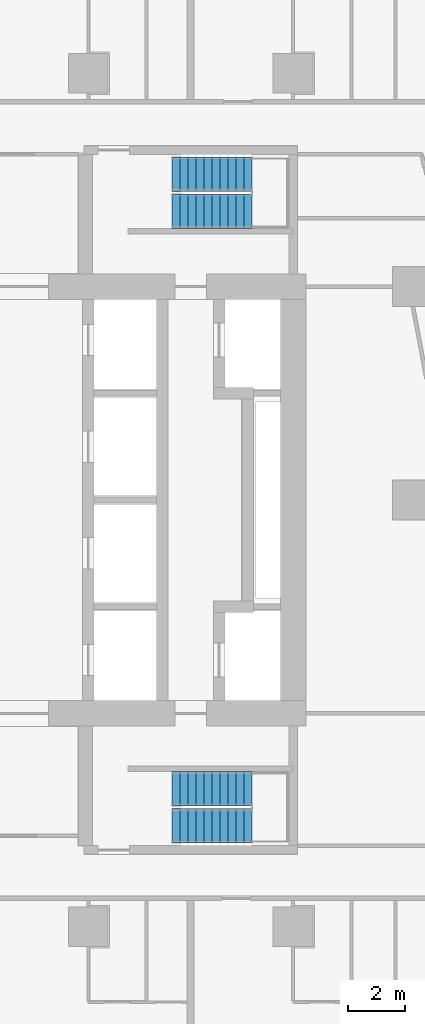
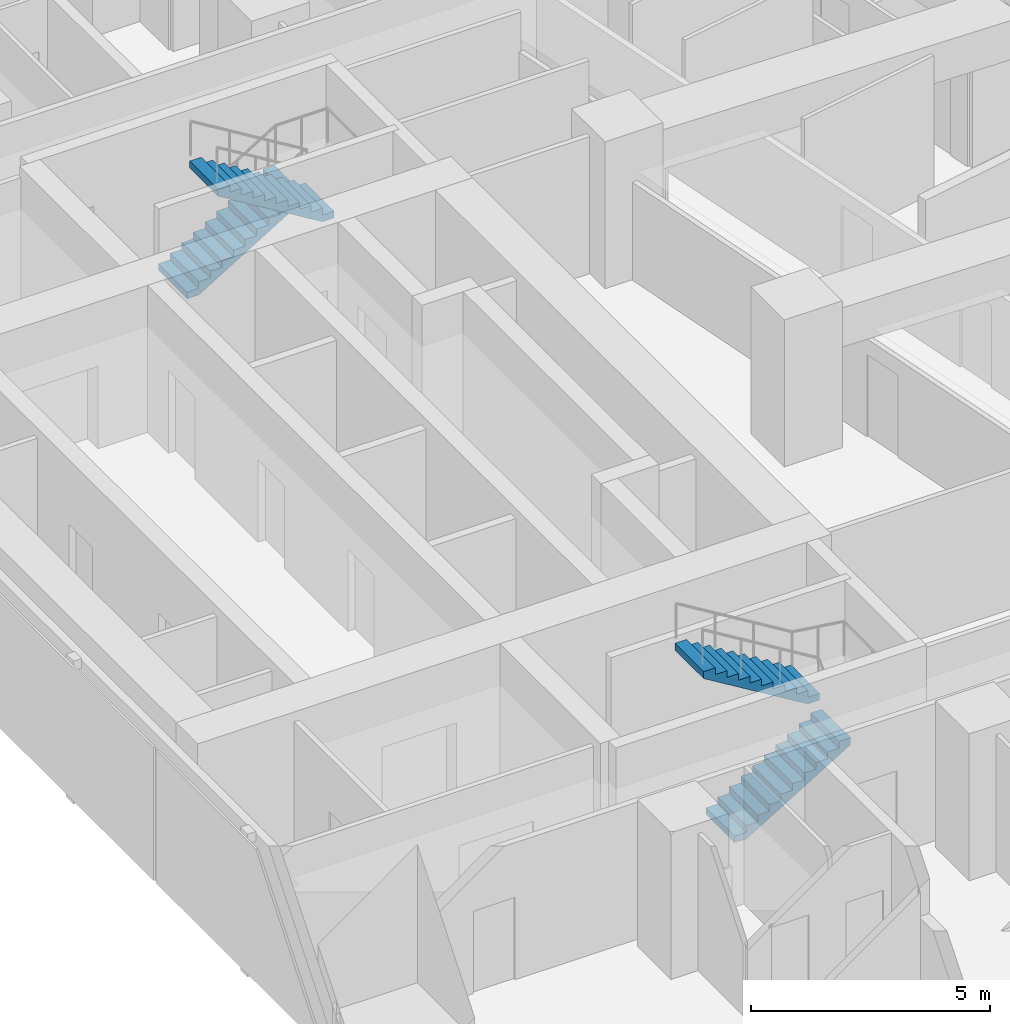
# One storey, part 9 of 10: 4 stair flights, 2 elements without a shape of their own.
"""IFC4 building model written with IfcOpenShell, lengths in metres."""

import ifcopenshell
import ifcopenshell.guid

model = None  # the IFC model being written
_history = None  # IfcOwnerHistory: only IFC2X3 demands one
_inside = {}  # id of a spatial element -> (the spatial element, [elements in it])
_under = {}  # id of a project, library or spatial element -> (it, [spatial elements below it])
_declared = {}  # id of a project -> (the project, [libraries it declares])
_typed = {}  # id of a type object -> (the type object, [elements of that type])
_made_of = {}  # id of a material, layer set ... -> (it, [elements and type objects made of it])


def new_model(schema):
    """Start an empty IFC model of exactly this schema.

    Asked for "IFC4X3", IfcOpenShell would pick the latest addendum, in which some entities
    have other attributes; the version numbers below select the first issue.
    IFC2X3 requires an IfcOwnerHistory on every rooted entity: one is made here for all.
    """
    global model, _history
    if schema == "IFC4X3":
        model = ifcopenshell.file(schema_version=(4, 3, 0, 0))
    else:
        model = ifcopenshell.file(schema=schema)
    _inside.clear()
    _under.clear()
    _declared.clear()
    _typed.clear()
    _made_of.clear()
    _history = None
    if model.schema == "IFC2X3":
        org = make("IfcOrganization", Name="unknown")
        user = make(
            "IfcPersonAndOrganization",
            ThePerson=make("IfcPerson", FamilyName="unknown"),
            TheOrganization=org,
        )
        app = make(
            "IfcApplication",
            ApplicationDeveloper=org,
            Version="unknown",
            ApplicationFullName="unknown",
            ApplicationIdentifier="unknown",
        )
        _history = make(
            "IfcOwnerHistory",
            OwningUser=user,
            OwningApplication=app,
            ChangeAction="ADDED",
            CreationDate=0,
        )
    return model


def make(cls, **values):
    """One entity of the class cls with the attributes given. An attribute that is None is left unset."""
    return model.create_entity(
        cls, **{name: value for name, value in values.items() if value is not None}
    )


def rooted(cls, **values):
    """An entity with a GlobalId (a new one), such as an element, a storey or a relation."""
    return make(cls, GlobalId=ifcopenshell.guid.new(), OwnerHistory=_history, **values)


def si_unit(unit_type, name, prefix=None):
    """IfcSIUnit, for example si_unit("LENGTHUNIT", "METRE", prefix="MILLI")."""
    return make("IfcSIUnit", UnitType=unit_type, Prefix=prefix, Name=name)


def assignment(units):
    """IfcUnitAssignment: the units of a project."""
    return None if units is None else make("IfcUnitAssignment", Units=units)


def point(xyz):
    """IfcCartesianPoint."""
    return None if xyz is None else make("IfcCartesianPoint", Coordinates=xyz)


def direction(xyz):
    """IfcDirection."""
    return None if xyz is None else make("IfcDirection", DirectionRatios=xyz)


def frame(location, z_axis=None, x_axis=None):
    """IfcAxis2Placement3D, a coordinate frame: its origin and axes. An axis left out is left unset."""
    return make(
        "IfcAxis2Placement3D",
        Location=point(location),
        Axis=direction(z_axis),
        RefDirection=direction(x_axis),
    )


def origin():
    """The frame at (0, 0, 0) with its axes left unset."""
    return frame((0.0, 0.0, 0.0))


def place(relative_to, where):
    """IfcLocalPlacement: puts the frame where relative to a parent placement (None: the world)."""
    return make(
        "IfcLocalPlacement", PlacementRelTo=relative_to, RelativePlacement=where
    )


def context(
    kind, dimensions, precision=None, world=None, true_north=None, identifier=None
):
    """IfcGeometricRepresentationContext, for example the 3D "Model" context."""
    return make(
        "IfcGeometricRepresentationContext",
        ContextIdentifier=identifier,
        ContextType=kind,
        CoordinateSpaceDimension=dimensions,
        Precision=precision,
        WorldCoordinateSystem=world,
        TrueNorth=true_north,
    )


def subcontext(parent, identifier, kind, view, scale=None):
    """IfcGeometricRepresentationSubContext, for example "Body" below "Model"."""
    return make(
        "IfcGeometricRepresentationSubContext",
        ContextIdentifier=identifier,
        ContextType=kind,
        ParentContext=parent,
        TargetScale=scale,
        TargetView=view,
    )


def project(units=None, contexts=None):
    """IfcProject with its units and contexts."""
    return rooted(
        "IfcProject",
        Name="project",
        RepresentationContexts=contexts,
        UnitsInContext=assignment(units),
    )


def spatial(cls, under=None, at=None, **own):
    """A site, building, storey or space (cls), placed at a placement, below another one or the project."""
    s = rooted(cls, ObjectPlacement=at, **own)
    if under is not None:
        _under.setdefault(under.id(), (under, []))[1].append(s)
    return s


def point_list(points):
    """IfcCartesianPointList2D or 3D."""
    cls = (
        "IfcCartesianPointList2D" if len(points[0]) == 2 else "IfcCartesianPointList3D"
    )
    return make(cls, CoordList=points)


def triangles(points, corners, closed=None, point_numbers=None):
    """IfcTriangulatedFaceSet: each triangle names its three corners, points numbered from 1."""
    return make(
        "IfcTriangulatedFaceSet",
        Coordinates=point_list(points),
        Closed=closed,
        CoordIndex=corners,
        PnIndex=point_numbers,
    )


def shape(context_of_items, identifier, shape_type, items):
    """IfcShapeRepresentation: the items that make up one representation, for example the "Body"."""
    return make(
        "IfcShapeRepresentation",
        ContextOfItems=context_of_items,
        RepresentationIdentifier=identifier,
        RepresentationType=shape_type,
        Items=items,
    )


def material(Name=None, Category=None):
    """IfcMaterial."""
    return make("IfcMaterial", Name=Name, Category=Category)


def made_of(thing, what):
    """Note that an element or type object is made of a material, layer set ...; save() writes the relation."""
    if what is not None:
        _made_of.setdefault(what.id(), (what, []))[1].append(thing)
    return thing


def type_object(cls, material=None, **own):
    """A type object (cls), such as IfcWallType, which elements share."""
    return made_of(rooted(cls, **own), material)


def element(
    cls,
    number,
    at=None,
    inside=None,
    cuts=None,
    type_object=None,
    material=None,
    context=None,
    identifier="Body",
    shape_type=None,
    held_by="IfcProductDefinitionShape",
    body=None,
    shapes=None,
    **own,
):
    """One element of the class cls, such as IfcWall. Its Tag is "e" and its number.

    at: its placement. inside: the storey or other place that contains it. cuts: it is an
    opening in that element (IfcRelVoidsElement). A single representation is given by context,
    identifier, shape_type and body (its items); several are given by shapes. held_by: the class
    of the entity that holds the representations. save() writes the other relations.
    """
    e = rooted(cls, Tag="e%d" % number, ObjectPlacement=at, **own)
    if body is not None:
        shapes = [shape(context, identifier, shape_type, body)]
    if shapes is not None:
        e.Representation = make(held_by, Representations=shapes)
    if inside is not None:
        _inside.setdefault(inside.id(), (inside, []))[1].append(e)
    if cuts is not None:
        rooted(
            "IfcRelVoidsElement", RelatingBuildingElement=cuts, RelatedOpeningElement=e
        )
    if type_object is not None:
        _typed.setdefault(type_object.id(), (type_object, []))[1].append(e)
    return made_of(e, material)


def aggregate(whole, parts):
    """IfcRelAggregates: a whole, such as a stair, and the parts it consists of."""
    return rooted("IfcRelAggregates", RelatingObject=whole, RelatedObjects=parts)


def save(model, path):
    """Write the relations noted so far, then the file.

    IfcRelAggregates (storeys below a building ...), IfcRelContainedInSpatialStructure (elements
    in a storey), IfcRelDefinesByType, IfcRelAssociatesMaterial and IfcRelDeclares: one each for
    every whole, place, type object, material and project.
    """
    for whole, parts in _under.values():
        aggregate(whole, parts)
    for where, things in _inside.values():
        rooted(
            "IfcRelContainedInSpatialStructure",
            RelatedElements=things,
            RelatingStructure=where,
        )
    for kind, things in _typed.values():
        rooted("IfcRelDefinesByType", RelatedObjects=things, RelatingType=kind)
    for what, things in _made_of.values():
        rooted("IfcRelAssociatesMaterial", RelatedObjects=things, RelatingMaterial=what)
    for by, libraries in _declared.values():
        rooted("IfcRelDeclares", RelatingContext=by, RelatedDefinitions=libraries)
    model.write(path)


model = new_model("IFC4")

# Units and contexts
model_context = context("Model", 3, precision=1e-05, world=origin(), true_north=direction((0.0, 1.0)))
body_context = subcontext(model_context, "Body", "Model", "MODEL_VIEW")
ifc_project = project(units=[si_unit("LENGTHUNIT", "METRE"), si_unit("AREAUNIT", "SQUARE_METRE"), si_unit("VOLUMEUNIT", "CUBIC_METRE"), si_unit("PLANEANGLEUNIT", "RADIAN"), si_unit("MASSUNIT", "GRAM", prefix="KILO")], contexts=[model_context])

# Site, building, storey
site_placement = place(None, origin())
site = spatial("IfcSite", under=ifc_project, at=site_placement, CompositionType="ELEMENT")
building_placement = place(site_placement, origin())
building = spatial("IfcBuilding", under=site, at=building_placement, Name="Sheger Commons Tower", CompositionType="ELEMENT")
storey_placement = place(building_placement, frame((0.0, 0.0, 227.449951171875)))
storey = spatial("IfcBuildingStorey", under=building, at=storey_placement, Name="L58", CompositionType="ELEMENT", Elevation=227.449951171875)

# Stair, stair flights
ifc_material_1 = material(Name="Concrete C35/45", Category="concrete")
stair_type = type_object("IfcStairType", Name="HALF-TURN STAIR 1200 RISE 3750", PredefinedType="HALF_TURN_STAIR", material=ifc_material_1)
stair_1_placement = place(storey_placement, origin())
stair_1 = element("IfcStair", 1, at=stair_1_placement, inside=storey, type_object=stair_type, Name="Stair S1 L58", PredefinedType="HALF_TURN_STAIR")
ifc_material_2 = material(Name="Concrete C35/45", Category="concrete")
stair_flight_type = type_object("IfcStairFlightType", Name="STAIR FLIGHT 1200 11 RISERS OF 170", PredefinedType="STRAIGHT", material=ifc_material_2)
stair_flight_1_placement = place(storey_placement, frame((24.550048828125, 11.050048828125, 0.0), z_axis=(0.0, 0.0, 1.0), x_axis=(1.0, 0.0, 0.0)))
stair_flight_1 = element("IfcStairFlight", 2, at=stair_flight_1_placement, type_object=stair_flight_type, Name="S1 flight 1", NumberOfRisers=11, NumberOfTreads=10, PredefinedType="STRAIGHT", RiserHeight=0.170454545, TreadLength=0.28, context=body_context, shape_type="Tessellation", body=[
    triangles([(0.0, 0.5999755859375, 0.0), (0.0, 0.5999755859375, 0.17041015625), (0.280029296875, 0.5999755859375, 0.17041015625), (0.280029296875, 0.5999755859375, 0.3408203125), (0.56005859375, 0.5999755859375, 0.3408203125), (0.56005859375, 0.5999755859375, 0.511474609375), (0.840087890625, 0.5999755859375, 0.511474609375), (0.840087890625, 0.5999755859375, 0.681884765625), (1.1201171875, 0.5999755859375, 0.681884765625), (1.1201171875, 0.5999755859375, 0.852294921875), (1.39990234375, 0.5999755859375, 0.852294921875), (1.39990234375, 0.5999755859375, 1.022705078125), (1.679931640625, 0.5999755859375, 1.022705078125), (1.679931640625, 0.5999755859375, 1.193115234375), (1.9599609375, 0.5999755859375, 1.193115234375), (1.9599609375, 0.5999755859375, 1.363525390625), (2.239990234375, 0.5999755859375, 1.363525390625), (2.239990234375, 0.5999755859375, 1.5341796875), (2.52001953125, 0.5999755859375, 1.5341796875), (2.52001953125, 0.5999755859375, 1.70458984375), (2.800048828125, 0.5999755859375, 1.70458984375), (2.800048828125, 0.5999755859375, 1.529052734375), (0.288330078125, 0.5999755859375, 0.0), (0.0, -0.5999755859375, 0.0), (0.0, -0.5999755859375, 0.17041015625), (0.280029296875, -0.5999755859375, 0.17041015625), (0.280029296875, -0.5999755859375, 0.3408203125), (0.56005859375, -0.5999755859375, 0.3408203125), (0.56005859375, -0.5999755859375, 0.511474609375), (0.840087890625, -0.5999755859375, 0.511474609375), (0.840087890625, -0.5999755859375, 0.681884765625), (1.1201171875, -0.5999755859375, 0.681884765625), (1.1201171875, -0.5999755859375, 0.852294921875), (1.39990234375, -0.5999755859375, 0.852294921875), (1.39990234375, -0.5999755859375, 1.022705078125), (1.679931640625, -0.5999755859375, 1.022705078125), (1.679931640625, -0.5999755859375, 1.193115234375), (1.9599609375, -0.5999755859375, 1.193115234375), (1.9599609375, -0.5999755859375, 1.363525390625), (2.239990234375, -0.5999755859375, 1.363525390625), (2.239990234375, -0.5999755859375, 1.5341796875), (2.52001953125, -0.5999755859375, 1.5341796875), (2.52001953125, -0.5999755859375, 1.70458984375), (2.800048828125, -0.5999755859375, 1.70458984375), (2.800048828125, -0.5999755859375, 1.529052734375), (0.288330078125, -0.5999755859375, 0.0), (0.0, 0.0, 0.085205078125), (0.1400146484375, 0.0, 0.17041015625), (0.280029296875, 0.0, 0.255615234375), (0.4200439453125, 0.0, 0.3408203125), (0.56005859375, 0.0, 0.4261474609375), (0.7000732421875, 0.0, 0.511474609375), (0.840087890625, 0.0, 0.5966796875), (0.9801025390625, 0.0, 0.681884765625), (1.1201171875, 0.0, 0.76708984375), (1.260009765625, 0.0, 0.852294921875), (1.39990234375, 0.0, 0.9375), (1.5399169921875, 0.0, 1.022705078125), (1.679931640625, 0.0, 1.10791015625), (1.8199462890625, 0.0, 1.193115234375), (1.9599609375, 0.0, 1.2783203125), (2.0999755859375, 0.0, 1.363525390625), (2.239990234375, 0.0, 1.4488525390625), (2.3800048828125, 0.0, 1.5341796875), (2.52001953125, 0.0, 1.619384765625), (2.6600341796875, 0.0, 1.70458984375), (2.800048828125, 0.0, 1.6168212890625), (1.544189453125, 0.0, 0.7645263671875), (0.1441650390625, 0.0, 0.0)], [[1, 22, 23], [24, 46, 45], [22, 20, 21], [45, 44, 43], [22, 19, 20], [45, 43, 42], [22, 18, 19], [45, 42, 41], [22, 17, 18], [45, 41, 40], [17, 15, 16], [40, 39, 38], [22, 15, 17], [45, 40, 38], [15, 13, 14], [38, 37, 36], [22, 13, 15], [45, 38, 36], [13, 11, 12], [36, 35, 34], [22, 11, 13], [45, 36, 34], [11, 9, 10], [34, 33, 32], [22, 9, 11], [45, 34, 32], [9, 7, 8], [32, 31, 30], [22, 7, 9], [45, 32, 30], [7, 5, 6], [30, 29, 28], [22, 5, 7], [45, 30, 28], [5, 3, 4], [28, 27, 26], [22, 3, 5], [45, 28, 26], [1, 3, 22], [24, 45, 26], [3, 1, 2], [26, 25, 24], [1, 47, 2], [2, 47, 25], [25, 47, 24], [24, 47, 1], [2, 48, 3], [3, 48, 26], [26, 48, 25], [25, 48, 2], [3, 49, 4], [4, 49, 27], [27, 49, 26], [26, 49, 3], [4, 50, 5], [5, 50, 28], [28, 50, 27], [27, 50, 4], [5, 51, 6], [6, 51, 29], [29, 51, 28], [28, 51, 5], [6, 52, 7], [7, 52, 30], [30, 52, 29], [29, 52, 6], [7, 53, 8], [8, 53, 31], [31, 53, 30], [30, 53, 7], [8, 54, 9], [9, 54, 32], [32, 54, 31], [31, 54, 8], [9, 55, 10], [10, 55, 33], [33, 55, 32], [32, 55, 9], [10, 56, 11], [11, 56, 34], [34, 56, 33], [33, 56, 10], [11, 57, 12], [12, 57, 35], [35, 57, 34], [34, 57, 11], [12, 58, 13], [13, 58, 36], [36, 58, 35], [35, 58, 12], [13, 59, 14], [14, 59, 37], [37, 59, 36], [36, 59, 13], [14, 60, 15], [15, 60, 38], [38, 60, 37], [37, 60, 14], [15, 61, 16], [16, 61, 39], [39, 61, 38], [38, 61, 15], [16, 62, 17], [17, 62, 40], [40, 62, 39], [39, 62, 16], [17, 63, 18], [18, 63, 41], [41, 63, 40], [40, 63, 17], [18, 64, 19], [19, 64, 42], [42, 64, 41], [41, 64, 18], [19, 65, 20], [20, 65, 43], [43, 65, 42], [42, 65, 19], [20, 66, 21], [21, 66, 44], [44, 66, 43], [43, 66, 20], [21, 67, 22], [22, 67, 45], [45, 67, 44], [44, 67, 21], [22, 68, 23], [23, 68, 46], [46, 68, 45], [45, 68, 22], [23, 69, 1], [1, 69, 24], [24, 69, 46], [46, 69, 23]], closed=True),
])
stair_flight_2_placement = place(storey_placement, frame((27.35009765625, 12.35009765625, 1.875), z_axis=(0.0, 0.0, 1.0), x_axis=(-1.0, 0.0, 0.0)))
stair_flight_2 = element("IfcStairFlight", 3, at=stair_flight_2_placement, type_object=stair_flight_type, Name="S1 flight 2", NumberOfRisers=11, NumberOfTreads=10, PredefinedType="STRAIGHT", RiserHeight=0.170454545, TreadLength=0.28, context=body_context, shape_type="Tessellation", body=[
    triangles([(0.0, 0.5999755859375, 0.0), (0.0, 0.5999755859375, 0.17041015625), (0.280029296875, 0.5999755859375, 0.17041015625), (0.280029296875, 0.5999755859375, 0.3408203125), (0.56005859375, 0.5999755859375, 0.3408203125), (0.56005859375, 0.5999755859375, 0.511474609375), (0.840087890625, 0.5999755859375, 0.511474609375), (0.840087890625, 0.5999755859375, 0.681884765625), (1.1201171875, 0.5999755859375, 0.681884765625), (1.1201171875, 0.5999755859375, 0.852294921875), (1.39990234375, 0.5999755859375, 0.852294921875), (1.39990234375, 0.5999755859375, 1.022705078125), (1.679931640625, 0.5999755859375, 1.022705078125), (1.679931640625, 0.5999755859375, 1.193115234375), (1.9599609375, 0.5999755859375, 1.193115234375), (1.9599609375, 0.5999755859375, 1.363525390625), (2.239990234375, 0.5999755859375, 1.363525390625), (2.239990234375, 0.5999755859375, 1.5341796875), (2.52001953125, 0.5999755859375, 1.5341796875), (2.52001953125, 0.5999755859375, 1.70458984375), (2.800048828125, 0.5999755859375, 1.70458984375), (2.800048828125, 0.5999755859375, 1.529052734375), (0.288330078125, 0.5999755859375, 0.0), (0.0, -0.5999755859375, 0.0), (0.0, -0.5999755859375, 0.17041015625), (0.280029296875, -0.5999755859375, 0.17041015625), (0.280029296875, -0.5999755859375, 0.3408203125), (0.56005859375, -0.5999755859375, 0.3408203125), (0.56005859375, -0.5999755859375, 0.511474609375), (0.840087890625, -0.5999755859375, 0.511474609375), (0.840087890625, -0.5999755859375, 0.681884765625), (1.1201171875, -0.5999755859375, 0.681884765625), (1.1201171875, -0.5999755859375, 0.852294921875), (1.39990234375, -0.5999755859375, 0.852294921875), (1.39990234375, -0.5999755859375, 1.022705078125), (1.679931640625, -0.5999755859375, 1.022705078125), (1.679931640625, -0.5999755859375, 1.193115234375), (1.9599609375, -0.5999755859375, 1.193115234375), (1.9599609375, -0.5999755859375, 1.363525390625), (2.239990234375, -0.5999755859375, 1.363525390625), (2.239990234375, -0.5999755859375, 1.5341796875), (2.52001953125, -0.5999755859375, 1.5341796875), (2.52001953125, -0.5999755859375, 1.70458984375), (2.800048828125, -0.5999755859375, 1.70458984375), (2.800048828125, -0.5999755859375, 1.529052734375), (0.288330078125, -0.5999755859375, 0.0), (0.0, 0.0, 0.085205078125), (0.1400146484375, 0.0, 0.17041015625), (0.280029296875, 0.0, 0.255615234375), (0.4200439453125, 0.0, 0.3408203125), (0.56005859375, 0.0, 0.4261474609375), (0.7000732421875, 0.0, 0.511474609375), (0.840087890625, 0.0, 0.5966796875), (0.9801025390625, 0.0, 0.681884765625), (1.1201171875, 0.0, 0.76708984375), (1.260009765625, 0.0, 0.852294921875), (1.39990234375, 0.0, 0.9375), (1.5399169921875, 0.0, 1.022705078125), (1.679931640625, 0.0, 1.10791015625), (1.8199462890625, 0.0, 1.193115234375), (1.9599609375, 0.0, 1.2783203125), (2.0999755859375, 0.0, 1.363525390625), (2.239990234375, 0.0, 1.4488525390625), (2.3800048828125, 0.0, 1.5341796875), (2.52001953125, 0.0, 1.619384765625), (2.6600341796875, 0.0, 1.70458984375), (2.800048828125, 0.0, 1.6168212890625), (1.544189453125, 0.0, 0.7645263671875), (0.1441650390625, 0.0, 0.0)], [[1, 22, 23], [24, 46, 45], [22, 20, 21], [45, 44, 43], [22, 19, 20], [45, 43, 42], [22, 18, 19], [45, 42, 41], [22, 17, 18], [45, 41, 40], [17, 15, 16], [40, 39, 38], [22, 15, 17], [45, 40, 38], [15, 13, 14], [38, 37, 36], [22, 13, 15], [45, 38, 36], [13, 11, 12], [36, 35, 34], [22, 11, 13], [45, 36, 34], [11, 9, 10], [34, 33, 32], [22, 9, 11], [45, 34, 32], [9, 7, 8], [32, 31, 30], [22, 7, 9], [45, 32, 30], [7, 5, 6], [30, 29, 28], [22, 5, 7], [45, 30, 28], [5, 3, 4], [28, 27, 26], [22, 3, 5], [45, 28, 26], [1, 3, 22], [24, 45, 26], [3, 1, 2], [26, 25, 24], [1, 47, 2], [2, 47, 25], [25, 47, 24], [24, 47, 1], [2, 48, 3], [3, 48, 26], [26, 48, 25], [25, 48, 2], [3, 49, 4], [4, 49, 27], [27, 49, 26], [26, 49, 3], [4, 50, 5], [5, 50, 28], [28, 50, 27], [27, 50, 4], [5, 51, 6], [6, 51, 29], [29, 51, 28], [28, 51, 5], [6, 52, 7], [7, 52, 30], [30, 52, 29], [29, 52, 6], [7, 53, 8], [8, 53, 31], [31, 53, 30], [30, 53, 7], [8, 54, 9], [9, 54, 32], [32, 54, 31], [31, 54, 8], [9, 55, 10], [10, 55, 33], [33, 55, 32], [32, 55, 9], [10, 56, 11], [11, 56, 34], [34, 56, 33], [33, 56, 10], [11, 57, 12], [12, 57, 35], [35, 57, 34], [34, 57, 11], [12, 58, 13], [13, 58, 36], [36, 58, 35], [35, 58, 12], [13, 59, 14], [14, 59, 37], [37, 59, 36], [36, 59, 13], [14, 60, 15], [15, 60, 38], [38, 60, 37], [37, 60, 14], [15, 61, 16], [16, 61, 39], [39, 61, 38], [38, 61, 15], [16, 62, 17], [17, 62, 40], [40, 62, 39], [39, 62, 16], [17, 63, 18], [18, 63, 41], [41, 63, 40], [40, 63, 17], [18, 64, 19], [19, 64, 42], [42, 64, 41], [41, 64, 18], [19, 65, 20], [20, 65, 43], [43, 65, 42], [42, 65, 19], [20, 66, 21], [21, 66, 44], [44, 66, 43], [43, 66, 20], [21, 67, 22], [22, 67, 45], [45, 67, 44], [44, 67, 21], [22, 68, 23], [23, 68, 46], [46, 68, 45], [45, 68, 22], [23, 69, 1], [1, 69, 24], [24, 69, 46], [46, 69, 23]], closed=True),
])
aggregate(stair_1, [stair_flight_1, stair_flight_2])

stair_2_placement = place(storey_placement, origin())
stair_2 = element("IfcStair", 4, at=stair_2_placement, inside=storey, type_object=stair_type, Name="Stair S2 L58", PredefinedType="HALF_TURN_STAIR")
stair_flight_3_placement = place(storey_placement, frame((24.550048828125, 33.949951171875, 0.0), z_axis=(0.0, 0.0, 1.0), x_axis=(1.0, 0.0, 0.0)))
stair_flight_3 = element("IfcStairFlight", 5, at=stair_flight_3_placement, type_object=stair_flight_type, Name="S2 flight 1", NumberOfRisers=11, NumberOfTreads=10, PredefinedType="STRAIGHT", RiserHeight=0.170454545, TreadLength=0.28, context=body_context, shape_type="Tessellation", body=[
    triangles([(0.0, 0.5999755859375, 0.0), (0.0, 0.5999755859375, 0.17041015625), (0.280029296875, 0.5999755859375, 0.17041015625), (0.280029296875, 0.5999755859375, 0.3408203125), (0.56005859375, 0.5999755859375, 0.3408203125), (0.56005859375, 0.5999755859375, 0.511474609375), (0.840087890625, 0.5999755859375, 0.511474609375), (0.840087890625, 0.5999755859375, 0.681884765625), (1.1201171875, 0.5999755859375, 0.681884765625), (1.1201171875, 0.5999755859375, 0.852294921875), (1.39990234375, 0.5999755859375, 0.852294921875), (1.39990234375, 0.5999755859375, 1.022705078125), (1.679931640625, 0.5999755859375, 1.022705078125), (1.679931640625, 0.5999755859375, 1.193115234375), (1.9599609375, 0.5999755859375, 1.193115234375), (1.9599609375, 0.5999755859375, 1.363525390625), (2.239990234375, 0.5999755859375, 1.363525390625), (2.239990234375, 0.5999755859375, 1.5341796875), (2.52001953125, 0.5999755859375, 1.5341796875), (2.52001953125, 0.5999755859375, 1.70458984375), (2.800048828125, 0.5999755859375, 1.70458984375), (2.800048828125, 0.5999755859375, 1.529052734375), (0.288330078125, 0.5999755859375, 0.0), (0.0, -0.5999755859375, 0.0), (0.0, -0.5999755859375, 0.17041015625), (0.280029296875, -0.5999755859375, 0.17041015625), (0.280029296875, -0.5999755859375, 0.3408203125), (0.56005859375, -0.5999755859375, 0.3408203125), (0.56005859375, -0.5999755859375, 0.511474609375), (0.840087890625, -0.5999755859375, 0.511474609375), (0.840087890625, -0.5999755859375, 0.681884765625), (1.1201171875, -0.5999755859375, 0.681884765625), (1.1201171875, -0.5999755859375, 0.852294921875), (1.39990234375, -0.5999755859375, 0.852294921875), (1.39990234375, -0.5999755859375, 1.022705078125), (1.679931640625, -0.5999755859375, 1.022705078125), (1.679931640625, -0.5999755859375, 1.193115234375), (1.9599609375, -0.5999755859375, 1.193115234375), (1.9599609375, -0.5999755859375, 1.363525390625), (2.239990234375, -0.5999755859375, 1.363525390625), (2.239990234375, -0.5999755859375, 1.5341796875), (2.52001953125, -0.5999755859375, 1.5341796875), (2.52001953125, -0.5999755859375, 1.70458984375), (2.800048828125, -0.5999755859375, 1.70458984375), (2.800048828125, -0.5999755859375, 1.529052734375), (0.288330078125, -0.5999755859375, 0.0), (0.0, 0.0, 0.085205078125), (0.1400146484375, 0.0, 0.17041015625), (0.280029296875, 0.0, 0.255615234375), (0.4200439453125, 0.0, 0.3408203125), (0.56005859375, 0.0, 0.4261474609375), (0.7000732421875, 0.0, 0.511474609375), (0.840087890625, 0.0, 0.5966796875), (0.9801025390625, 0.0, 0.681884765625), (1.1201171875, 0.0, 0.76708984375), (1.260009765625, 0.0, 0.852294921875), (1.39990234375, 0.0, 0.9375), (1.5399169921875, 0.0, 1.022705078125), (1.679931640625, 0.0, 1.10791015625), (1.8199462890625, 0.0, 1.193115234375), (1.9599609375, 0.0, 1.2783203125), (2.0999755859375, 0.0, 1.363525390625), (2.239990234375, 0.0, 1.4488525390625), (2.3800048828125, 0.0, 1.5341796875), (2.52001953125, 0.0, 1.619384765625), (2.6600341796875, 0.0, 1.70458984375), (2.800048828125, 0.0, 1.6168212890625), (1.544189453125, 0.0, 0.7645263671875), (0.1441650390625, 0.0, 0.0)], [[1, 22, 23], [24, 46, 45], [22, 20, 21], [45, 44, 43], [22, 19, 20], [45, 43, 42], [22, 18, 19], [45, 42, 41], [22, 17, 18], [45, 41, 40], [17, 15, 16], [40, 39, 38], [22, 15, 17], [45, 40, 38], [15, 13, 14], [38, 37, 36], [22, 13, 15], [45, 38, 36], [13, 11, 12], [36, 35, 34], [22, 11, 13], [45, 36, 34], [11, 9, 10], [34, 33, 32], [22, 9, 11], [45, 34, 32], [9, 7, 8], [32, 31, 30], [22, 7, 9], [45, 32, 30], [7, 5, 6], [30, 29, 28], [22, 5, 7], [45, 30, 28], [5, 3, 4], [28, 27, 26], [22, 3, 5], [45, 28, 26], [1, 3, 22], [24, 45, 26], [3, 1, 2], [26, 25, 24], [1, 47, 2], [2, 47, 25], [25, 47, 24], [24, 47, 1], [2, 48, 3], [3, 48, 26], [26, 48, 25], [25, 48, 2], [3, 49, 4], [4, 49, 27], [27, 49, 26], [26, 49, 3], [4, 50, 5], [5, 50, 28], [28, 50, 27], [27, 50, 4], [5, 51, 6], [6, 51, 29], [29, 51, 28], [28, 51, 5], [6, 52, 7], [7, 52, 30], [30, 52, 29], [29, 52, 6], [7, 53, 8], [8, 53, 31], [31, 53, 30], [30, 53, 7], [8, 54, 9], [9, 54, 32], [32, 54, 31], [31, 54, 8], [9, 55, 10], [10, 55, 33], [33, 55, 32], [32, 55, 9], [10, 56, 11], [11, 56, 34], [34, 56, 33], [33, 56, 10], [11, 57, 12], [12, 57, 35], [35, 57, 34], [34, 57, 11], [12, 58, 13], [13, 58, 36], [36, 58, 35], [35, 58, 12], [13, 59, 14], [14, 59, 37], [37, 59, 36], [36, 59, 13], [14, 60, 15], [15, 60, 38], [38, 60, 37], [37, 60, 14], [15, 61, 16], [16, 61, 39], [39, 61, 38], [38, 61, 15], [16, 62, 17], [17, 62, 40], [40, 62, 39], [39, 62, 16], [17, 63, 18], [18, 63, 41], [41, 63, 40], [40, 63, 17], [18, 64, 19], [19, 64, 42], [42, 64, 41], [41, 64, 18], [19, 65, 20], [20, 65, 43], [43, 65, 42], [42, 65, 19], [20, 66, 21], [21, 66, 44], [44, 66, 43], [43, 66, 20], [21, 67, 22], [22, 67, 45], [45, 67, 44], [44, 67, 21], [22, 68, 23], [23, 68, 46], [46, 68, 45], [45, 68, 22], [23, 69, 1], [1, 69, 24], [24, 69, 46], [46, 69, 23]], closed=True),
])
stair_flight_4_placement = place(storey_placement, frame((27.35009765625, 32.64990234375, 1.875), z_axis=(0.0, 0.0, 1.0), x_axis=(-1.0, 0.0, 0.0)))
stair_flight_4 = element("IfcStairFlight", 6, at=stair_flight_4_placement, type_object=stair_flight_type, Name="S2 flight 2", NumberOfRisers=11, NumberOfTreads=10, PredefinedType="STRAIGHT", RiserHeight=0.170454545, TreadLength=0.28, context=body_context, shape_type="Tessellation", body=[
    triangles([(0.0, 0.5999755859375, 0.0), (0.0, 0.5999755859375, 0.17041015625), (0.280029296875, 0.5999755859375, 0.17041015625), (0.280029296875, 0.5999755859375, 0.3408203125), (0.56005859375, 0.5999755859375, 0.3408203125), (0.56005859375, 0.5999755859375, 0.511474609375), (0.840087890625, 0.5999755859375, 0.511474609375), (0.840087890625, 0.5999755859375, 0.681884765625), (1.1201171875, 0.5999755859375, 0.681884765625), (1.1201171875, 0.5999755859375, 0.852294921875), (1.39990234375, 0.5999755859375, 0.852294921875), (1.39990234375, 0.5999755859375, 1.022705078125), (1.679931640625, 0.5999755859375, 1.022705078125), (1.679931640625, 0.5999755859375, 1.193115234375), (1.9599609375, 0.5999755859375, 1.193115234375), (1.9599609375, 0.5999755859375, 1.363525390625), (2.239990234375, 0.5999755859375, 1.363525390625), (2.239990234375, 0.5999755859375, 1.5341796875), (2.52001953125, 0.5999755859375, 1.5341796875), (2.52001953125, 0.5999755859375, 1.70458984375), (2.800048828125, 0.5999755859375, 1.70458984375), (2.800048828125, 0.5999755859375, 1.529052734375), (0.288330078125, 0.5999755859375, 0.0), (0.0, -0.5999755859375, 0.0), (0.0, -0.5999755859375, 0.17041015625), (0.280029296875, -0.5999755859375, 0.17041015625), (0.280029296875, -0.5999755859375, 0.3408203125), (0.56005859375, -0.5999755859375, 0.3408203125), (0.56005859375, -0.5999755859375, 0.511474609375), (0.840087890625, -0.5999755859375, 0.511474609375), (0.840087890625, -0.5999755859375, 0.681884765625), (1.1201171875, -0.5999755859375, 0.681884765625), (1.1201171875, -0.5999755859375, 0.852294921875), (1.39990234375, -0.5999755859375, 0.852294921875), (1.39990234375, -0.5999755859375, 1.022705078125), (1.679931640625, -0.5999755859375, 1.022705078125), (1.679931640625, -0.5999755859375, 1.193115234375), (1.9599609375, -0.5999755859375, 1.193115234375), (1.9599609375, -0.5999755859375, 1.363525390625), (2.239990234375, -0.5999755859375, 1.363525390625), (2.239990234375, -0.5999755859375, 1.5341796875), (2.52001953125, -0.5999755859375, 1.5341796875), (2.52001953125, -0.5999755859375, 1.70458984375), (2.800048828125, -0.5999755859375, 1.70458984375), (2.800048828125, -0.5999755859375, 1.529052734375), (0.288330078125, -0.5999755859375, 0.0), (0.0, 0.0, 0.085205078125), (0.1400146484375, 0.0, 0.17041015625), (0.280029296875, 0.0, 0.255615234375), (0.4200439453125, 0.0, 0.3408203125), (0.56005859375, 0.0, 0.4261474609375), (0.7000732421875, 0.0, 0.511474609375), (0.840087890625, 0.0, 0.5966796875), (0.9801025390625, 0.0, 0.681884765625), (1.1201171875, 0.0, 0.76708984375), (1.260009765625, 0.0, 0.852294921875), (1.39990234375, 0.0, 0.9375), (1.5399169921875, 0.0, 1.022705078125), (1.679931640625, 0.0, 1.10791015625), (1.8199462890625, 0.0, 1.193115234375), (1.9599609375, 0.0, 1.2783203125), (2.0999755859375, 0.0, 1.363525390625), (2.239990234375, 0.0, 1.4488525390625), (2.3800048828125, 0.0, 1.5341796875), (2.52001953125, 0.0, 1.619384765625), (2.6600341796875, 0.0, 1.70458984375), (2.800048828125, 0.0, 1.6168212890625), (1.544189453125, 0.0, 0.7645263671875), (0.1441650390625, 0.0, 0.0)], [[1, 22, 23], [24, 46, 45], [22, 20, 21], [45, 44, 43], [22, 19, 20], [45, 43, 42], [22, 18, 19], [45, 42, 41], [22, 17, 18], [45, 41, 40], [17, 15, 16], [40, 39, 38], [22, 15, 17], [45, 40, 38], [15, 13, 14], [38, 37, 36], [22, 13, 15], [45, 38, 36], [13, 11, 12], [36, 35, 34], [22, 11, 13], [45, 36, 34], [11, 9, 10], [34, 33, 32], [22, 9, 11], [45, 34, 32], [9, 7, 8], [32, 31, 30], [22, 7, 9], [45, 32, 30], [7, 5, 6], [30, 29, 28], [22, 5, 7], [45, 30, 28], [5, 3, 4], [28, 27, 26], [22, 3, 5], [45, 28, 26], [1, 3, 22], [24, 45, 26], [3, 1, 2], [26, 25, 24], [1, 47, 2], [2, 47, 25], [25, 47, 24], [24, 47, 1], [2, 48, 3], [3, 48, 26], [26, 48, 25], [25, 48, 2], [3, 49, 4], [4, 49, 27], [27, 49, 26], [26, 49, 3], [4, 50, 5], [5, 50, 28], [28, 50, 27], [27, 50, 4], [5, 51, 6], [6, 51, 29], [29, 51, 28], [28, 51, 5], [6, 52, 7], [7, 52, 30], [30, 52, 29], [29, 52, 6], [7, 53, 8], [8, 53, 31], [31, 53, 30], [30, 53, 7], [8, 54, 9], [9, 54, 32], [32, 54, 31], [31, 54, 8], [9, 55, 10], [10, 55, 33], [33, 55, 32], [32, 55, 9], [10, 56, 11], [11, 56, 34], [34, 56, 33], [33, 56, 10], [11, 57, 12], [12, 57, 35], [35, 57, 34], [34, 57, 11], [12, 58, 13], [13, 58, 36], [36, 58, 35], [35, 58, 12], [13, 59, 14], [14, 59, 37], [37, 59, 36], [36, 59, 13], [14, 60, 15], [15, 60, 38], [38, 60, 37], [37, 60, 14], [15, 61, 16], [16, 61, 39], [39, 61, 38], [38, 61, 15], [16, 62, 17], [17, 62, 40], [40, 62, 39], [39, 62, 16], [17, 63, 18], [18, 63, 41], [41, 63, 40], [40, 63, 17], [18, 64, 19], [19, 64, 42], [42, 64, 41], [41, 64, 18], [19, 65, 20], [20, 65, 43], [43, 65, 42], [42, 65, 19], [20, 66, 21], [21, 66, 44], [44, 66, 43], [43, 66, 20], [21, 67, 22], [22, 67, 45], [45, 67, 44], [44, 67, 21], [22, 68, 23], [23, 68, 46], [46, 68, 45], [45, 68, 22], [23, 69, 1], [1, 69, 24], [24, 69, 46], [46, 69, 23]], closed=True),
])
aggregate(stair_2, [stair_flight_3, stair_flight_4])

save(model, "model.ifc")
